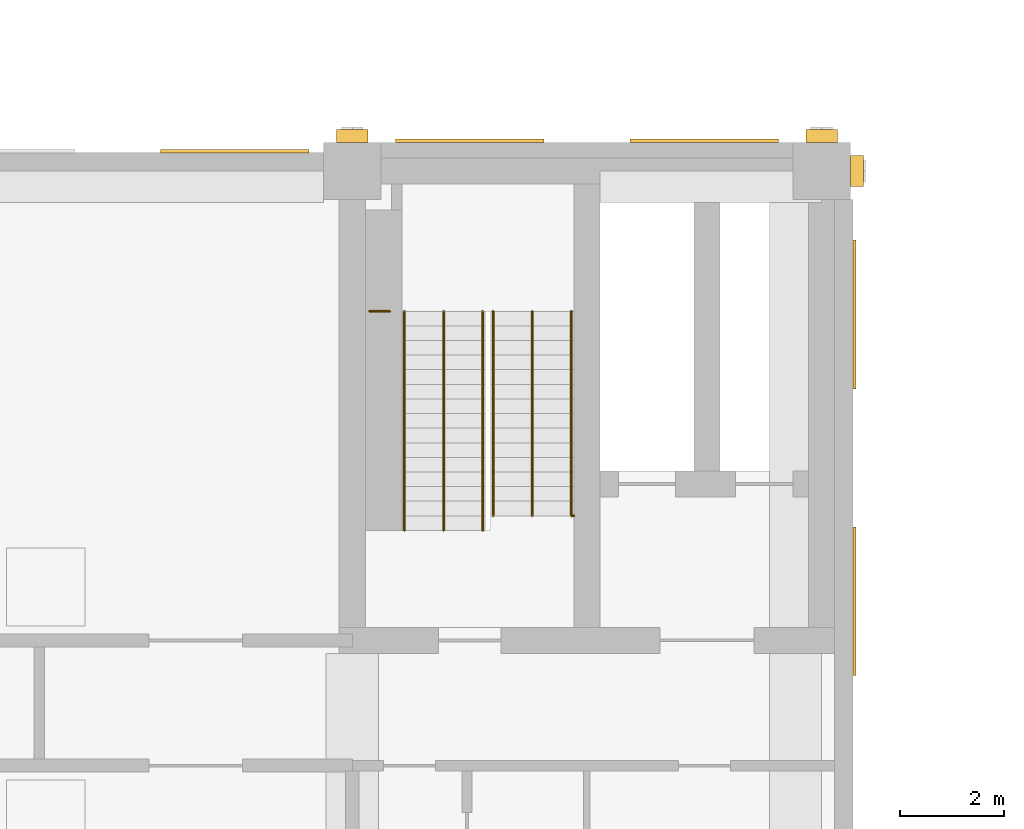
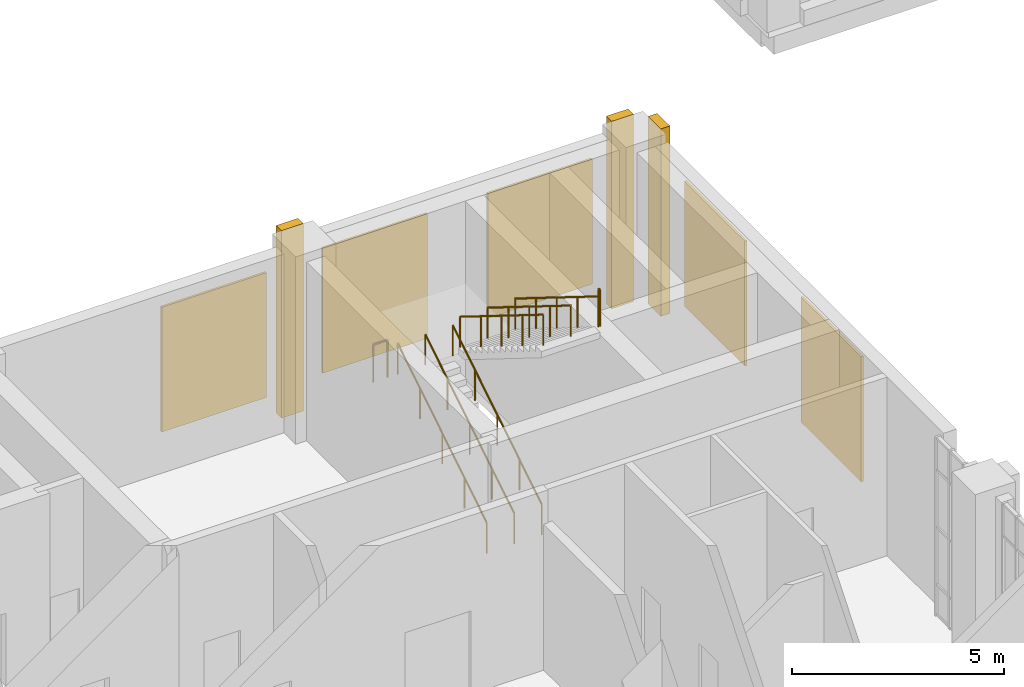
# One storey, part 20 of 22: 8 coverings, 8 railings.
"""IFC4 building model written with IfcOpenShell, lengths in metres."""

from ifc_helpers import new_model, si_unit, direction, frame, origin, origin_2d, place, context, subcontext, project, spatial, rectangle, circle, extrude, material, layer, layer_set, type_object, element, save


model = new_model("IFC4")

# Units and contexts
model_context = context("Model", 3, precision=1e-05, world=origin(), true_north=direction((0.0, 1.0)))
body_context = subcontext(model_context, "Body", "Model", "MODEL_VIEW")
ifc_project = project(units=[si_unit("LENGTHUNIT", "METRE"), si_unit("AREAUNIT", "SQUARE_METRE"), si_unit("VOLUMEUNIT", "CUBIC_METRE"), si_unit("PLANEANGLEUNIT", "RADIAN"), si_unit("MASSUNIT", "GRAM", prefix="KILO")], contexts=[model_context])

# Site, building, storey
site_placement = place(None, origin())
site = spatial("IfcSite", under=ifc_project, at=site_placement, CompositionType="ELEMENT")
building_placement = place(site_placement, origin())
building = spatial("IfcBuilding", under=site, at=building_placement, Name="Aurelan Courthouse", CompositionType="ELEMENT")
storey_placement = place(building_placement, frame((0.0, 0.0, 39.0)))
storey = spatial("IfcBuildingStorey", under=building, at=storey_placement, Name="L07", CompositionType="ELEMENT", Elevation=39.0)

# Coverings
ifc_material_1 = material(Name="Bronze sheet cladding")
ifc_layer = layer(ifc_material_1, 0.06005859375)
ifc_layer_set = layer_set([ifc_layer], Name="Bronze sheet cladding")
covering_type_1 = type_object("IfcCoveringType", Name="Courts' Floors blind bay 2850 x 3600", PredefinedType="CLADDING", material=ifc_layer_set)
for number, where, z_axis, x_axis, name in (
    (1, (15.75, 28.8798828125, 0.89990234375), (0.0, 0.0, 1.0), (1.0, 0.0, 0.0), "Blind bay BB-V5-L07-006"),
    (2, (20.25, 29.080078125, 0.89990234375), (0.0, 0.0, 1.0), (1.0, 0.0, 0.0), "Blind bay BB-V5-L07-007"),
    (3, (24.75, 29.080078125, 0.89990234375), (0.0, 0.0, 1.0), (1.0, 0.0, 0.0), "Blind bay BB-V5-L07-008"),
):
    element("IfcCovering", number, at=place(storey_placement, frame(where, z_axis=z_axis, x_axis=x_axis)), inside=storey, type_object=covering_type_1, Name=name, PredefinedType="CLADDING", context=body_context, shape_type="SweptSolid", body=[
        extrude(rectangle(XDim=2.85009765625, YDim=0.06005859375, at=origin_2d()), origin(), (0.0, 0.0, 1.0), 3.60009765625),
    ])
for number, where, z_axis, x_axis, name in (
    (4, (27.6298828125, 20.25, 0.89990234375), (0.0, 0.0, 1.0), (1.0, 0.0, 0.0), "Blind bay BB-V5-L07-009"),
    (5, (27.6298828125, 25.75, 0.89990234375), (0.0, 0.0, 1.0), (1.0, 0.0, 0.0), "Blind bay BB-V5-L07-010"),
):
    element("IfcCovering", number, at=place(storey_placement, frame(where, z_axis=z_axis, x_axis=x_axis)), inside=storey, type_object=covering_type_1, Name=name, PredefinedType="CLADDING", context=body_context, shape_type="SweptSolid", body=[
        extrude(rectangle(XDim=0.06005859375, YDim=2.85009765625, at=origin_2d()), origin(), (0.0, 0.0, 1.0), 3.60009765625),
    ])
ifc_material_2 = material(Name="Limestone cladding", Category="masonry")
covering_type_2 = type_object("IfcCoveringType", Name="Courts' Floors pilaster fin 600 x 250", PredefinedType="CLADDING", material=ifc_material_2)
for number, where, z_axis, x_axis, name in (
    (6, (18.0, 29.175048828125, 0.0), (0.0, 0.0, 1.0), (1.0, 0.0, 0.0), "Pilaster fin FN-V5-077"),
    (7, (27.0, 29.175048828125, 0.0), (0.0, 0.0, 1.0), (1.0, 0.0, 0.0), "Pilaster fin FN-V5-078"),
):
    element("IfcCovering", number, at=place(storey_placement, frame(where, z_axis=z_axis, x_axis=x_axis)), inside=storey, type_object=covering_type_2, Name=name, PredefinedType="CLADDING", context=body_context, shape_type="SweptSolid", body=[
        extrude(rectangle(XDim=0.60009765625, YDim=0.25, at=origin_2d()), origin(), (0.0, 0.0, 1.0), 5.39990234375),
    ])
covering_placement = place(storey_placement, frame((27.675048828125, 28.5, 0.0), z_axis=(0.0, 0.0, 1.0), x_axis=(1.0, 0.0, 0.0)))
element("IfcCovering", 8, at=covering_placement, inside=storey, type_object=covering_type_2, Name="Pilaster fin FN-V5-081", PredefinedType="CLADDING", context=body_context, shape_type="SweptSolid", body=[
    extrude(rectangle(XDim=0.25, YDim=0.60009765625, at=origin_2d()), origin(), (0.0, 0.0, 1.0), 5.39990234375),
])

# Railings
ifc_material_3 = material(Name="Steel S355", Category="steel")
railing_type_1 = type_object("IfcRailingType", Name="Stair guard 1100", PredefinedType="GUARDRAIL", material=ifc_material_3)
railing_1_placement = place(storey_placement, frame((22.199951171875, 21.889892578125, 5.39990234375)))
element("IfcRailing", 9, at=railing_1_placement, inside=storey, type_object=railing_type_1, Name="Guard ST-5A-L07-H5-C", PredefinedType="GUARDRAIL", context=body_context, shape_type="SweptSolid", body=[
    extrude(circle(Radius=0.02392578125, at=origin_2d()), frame((0.0, 0.0, 1.076171875), z_axis=(1.0, 0.0, 0.0), x_axis=(0.0, 1.0, 0.0)), (0.0, 0.0, 1.0), 0.050048828125),
    extrude(circle(Radius=0.02099609375, at=origin_2d()), origin(), (0.0, 0.0, 1.0), 1.052001953125),
    extrude(circle(Radius=0.02099609375, at=origin_2d()), frame((0.050048828125, 0.0, 0.0)), (0.0, 0.0, 1.0), 1.052001953125),
])
railing_2_placement = place(storey_placement, frame((18.719970703125, 25.81005859375, 2.787109375)))
element("IfcRailing", 10, at=railing_2_placement, inside=storey, type_object=railing_type_1, Name="Guard ST-5A-L07-GL1", PredefinedType="GUARDRAIL", context=body_context, shape_type="SweptSolid", body=[
    extrude(circle(Radius=0.02392578125, at=origin_2d()), frame((0.0, 0.0, 1.076171875), z_axis=(-1.0, 0.0, 0.0), x_axis=(0.0, -1.0, 0.0)), (0.0, 0.0, 1.0), 0.389892578125),
    extrude(circle(Radius=0.02099609375, at=origin_2d()), origin(), (0.0, 0.0, 1.0), 1.052001953125),
    extrude(circle(Radius=0.02099609375, at=origin_2d()), frame((-0.389892578125, 0.0, 0.0)), (0.0, 0.0, 1.0), 1.052001953125),
])
railing_type_2 = type_object("IfcRailingType", Name="Stair handrail 900", PredefinedType="HANDRAIL", material=ifc_material_3)
for number, where, name in (
    (11, (19.0, 21.610107421875, 0.17431640625), "Handrail ST-5A-L07-H1"),
    (12, (20.5, 21.610107421875, 0.17431640625), "Handrail ST-5A-L07-H2"),
    (13, (19.75, 21.610107421875, 0.17431640625), "Handrail ST-5A-L07-H3"),
):
    element("IfcRailing", number, at=place(storey_placement, frame(where)), inside=storey, type_object=railing_type_2, Name=name, PredefinedType="HANDRAIL", context=body_context, shape_type="SweptSolid", body=[
        extrude(circle(Radius=0.02392578125, at=origin_2d()), frame((0.0, 0.0, 0.8759765625), z_axis=(0.0, 0.849102848233, 0.528227558088), x_axis=(-1.0, 0.0, 0.0)), (0.0, 0.0, 1.0), 4.9462890625),
        extrude(circle(Radius=0.02099609375, at=origin_2d()), origin(), (0.0, 0.0, 1.0), 0.851806640625),
        extrude(circle(Radius=0.02099609375, at=origin_2d()), frame((0.0, 1.050048828125, 0.6533203125)), (0.0, 0.0, 1.0), 0.851806640625),
        extrude(circle(Radius=0.02099609375, at=origin_2d()), frame((0.0, 2.10009765625, 1.306396484375)), (0.0, 0.0, 1.0), 0.851806640625),
        extrude(circle(Radius=0.02099609375, at=origin_2d()), frame((0.0, 3.14990234375, 1.95947265625)), (0.0, 0.0, 1.0), 0.851806640625),
        extrude(circle(Radius=0.02099609375, at=origin_2d()), frame((0.0, 4.199951171875, 2.61279296875)), (0.0, 0.0, 1.0), 0.851806640625),
    ])
for number, where, name in (
    (14, (20.699951171875, 25.81005859375, 2.961181640625), "Handrail ST-5A-L07-H4"),
    (15, (22.199951171875, 25.81005859375, 2.961181640625), "Handrail ST-5A-L07-H5"),
    (16, (21.449951171875, 25.81005859375, 2.961181640625), "Handrail ST-5A-L07-H6"),
):
    element("IfcRailing", number, at=place(storey_placement, frame(where)), inside=storey, type_object=railing_type_2, Name=name, PredefinedType="HANDRAIL", context=body_context, shape_type="SweptSolid", body=[
        extrude(circle(Radius=0.02392578125, at=origin_2d()), frame((0.0, 0.0, 0.8759765625), z_axis=(0.0, -0.849104567483, 0.528224794457), x_axis=(1.0, 0.0, 0.0)), (0.0, 0.0, 1.0), 4.616943359375),
        extrude(circle(Radius=0.02099609375, at=origin_2d()), origin(), (0.0, 0.0, 1.0), 0.851806640625),
        extrude(circle(Radius=0.02099609375, at=origin_2d()), frame((0.0, -0.97998046875, 0.609619140625)), (0.0, 0.0, 1.0), 0.851806640625),
        extrude(circle(Radius=0.02099609375, at=origin_2d()), frame((0.0, -1.9599609375, 1.21923828125)), (0.0, 0.0, 1.0), 0.851806640625),
        extrude(circle(Radius=0.02099609375, at=origin_2d()), frame((0.0, -2.940185546875, 1.8291015625)), (0.0, 0.0, 1.0), 0.851806640625),
        extrude(circle(Radius=0.02099609375, at=origin_2d()), frame((0.0, -3.920166015625, 2.438720703125)), (0.0, 0.0, 1.0), 0.851806640625),
    ])

save(model, "model.ifc")
